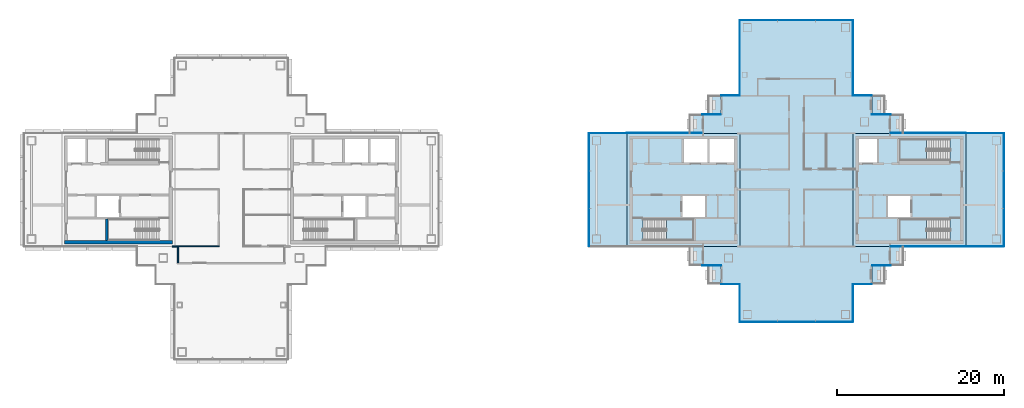
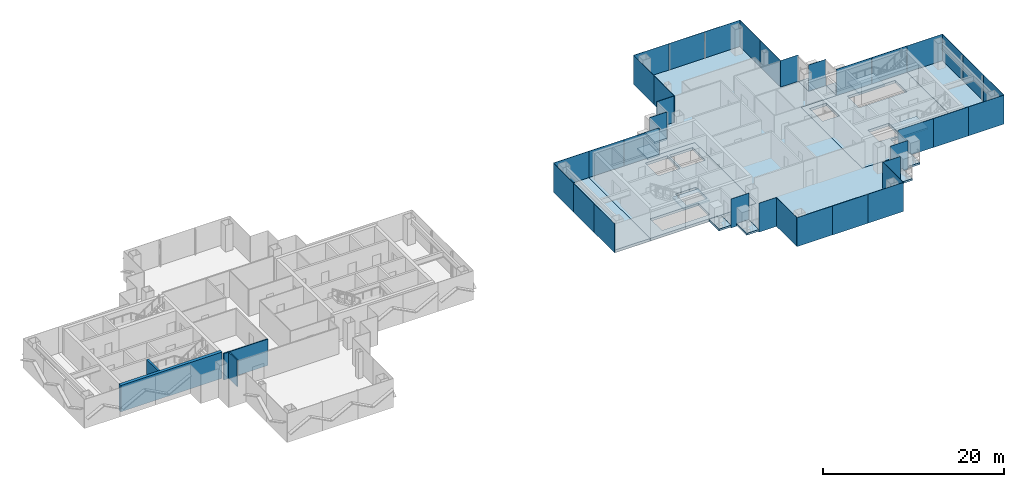
# One storey, part 8 of 17: 35 plates, 16 slabs, 5 walls, 21 elements without a shape of their own.
"""IFC4 building model written with IfcOpenShell, lengths in metres."""

from ifc_helpers import new_model, si_unit, direction, frame, frame_2d, origin, origin_2d, place, context, subcontext, project, spatial, polyline, rectangle, outline, extrude, material, layer, layer_set, type_object, element, aggregate, save


model = new_model("IFC4")

# Units and contexts
model_context = context("Model", 3, precision=1e-05, world=origin(), true_north=direction((0.0, 1.0)))
body_context = subcontext(model_context, "Body", "Model", "MODEL_VIEW")
ifc_project = project(units=[si_unit("LENGTHUNIT", "METRE"), si_unit("AREAUNIT", "SQUARE_METRE"), si_unit("VOLUMEUNIT", "CUBIC_METRE"), si_unit("PLANEANGLEUNIT", "RADIAN"), si_unit("MASSUNIT", "GRAM", prefix="KILO")], contexts=[model_context])

# Site, building, storey
site_placement = place(None, origin())
site = spatial("IfcSite", under=ifc_project, at=site_placement, CompositionType="ELEMENT")
building_placement = place(site_placement, origin())
building = spatial("IfcBuilding", under=site, at=building_placement, Name="Shamsa Quay Exchange Towers", CompositionType="ELEMENT")
storey_placement = place(building_placement, frame((0.0, 0.0, 198.300048828125)))
storey = spatial("IfcBuildingStorey", under=building, at=storey_placement, Name="L47", CompositionType="ELEMENT", Elevation=198.300048828125)

# Slabs
ifc_material_1 = material(Name="Precast concrete C40/50", Category="concrete")
ifc_layer_1 = layer(ifc_material_1, 0.25)
ifc_layer_set_1 = layer_set([ifc_layer_1], Name="BALCONY SLAB 250")
slab_type_1 = type_object("IfcSlabType", Name="BALCONY SLAB 250", PredefinedType="FLOOR", material=ifc_layer_set_1)
slab_1_placement = place(storey_placement, frame((0.0, 0.0, -0.25)))
element("IfcSlab", 1, at=slab_1_placement, inside=storey, type_object=slab_type_1, Name="Balcony T2-PKEN L47", PredefinedType="FLOOR", context=body_context, shape_type="SweptSolid", body=[
    extrude(outline(polyline([(24.75, 11.25), (24.75, 9.0380859375), (23.199951171875, 9.0380859375), (23.199951171875, 11.25), (24.75, 11.25)])), origin(), (0.0, 0.0, 1.0), 0.25),
])
slab_2_placement = place(storey_placement, frame((0.0, 0.0, -0.25)))
element("IfcSlab", 2, at=slab_2_placement, inside=storey, type_object=slab_type_1, Name="Balcony T2-PKEN L47", PredefinedType="FLOOR", context=body_context, shape_type="SweptSolid", body=[
    extrude(outline(polyline([(22.5, 9.0), (22.5, 6.7880859375), (20.949951171875, 6.7880859375), (20.949951171875, 9.0), (22.5, 9.0)])), origin(), (0.0, 0.0, 1.0), 0.25),
])
slab_3_placement = place(storey_placement, frame((0.0, 0.0, -0.25)))
element("IfcSlab", 3, at=slab_3_placement, inside=storey, type_object=slab_type_1, Name="Balcony T2-PKES L47", PredefinedType="FLOOR", context=body_context, shape_type="SweptSolid", body=[
    extrude(outline(polyline([(42.75, 9.0380859375), (42.75, 11.25), (44.300048828125, 11.25), (44.300048828125, 9.0380859375), (42.75, 9.0380859375)])), origin(), (0.0, 0.0, 1.0), 0.25),
])
slab_4_placement = place(storey_placement, frame((0.0, 0.0, -0.25)))
element("IfcSlab", 4, at=slab_4_placement, inside=storey, type_object=slab_type_1, Name="Balcony T2-PKES L47", PredefinedType="FLOOR", context=body_context, shape_type="SweptSolid", body=[
    extrude(outline(polyline([(45.0, 6.7880859375), (45.0, 9.0), (46.550048828125, 9.0), (46.550048828125, 6.7880859375), (45.0, 6.7880859375)])), origin(), (0.0, 0.0, 1.0), 0.25),
])
slab_5_placement = place(storey_placement, frame((0.0, 0.0, -0.25)))
element("IfcSlab", 5, at=slab_5_placement, inside=storey, type_object=slab_type_1, Name="Balcony T2-PKWN L47", PredefinedType="FLOOR", context=body_context, shape_type="SweptSolid", body=[
    extrude(outline(polyline([(22.5, -6.7880859375), (22.5, -9.0), (20.949951171875, -9.0), (20.949951171875, -6.7880859375), (22.5, -6.7880859375)])), origin(), (0.0, 0.0, 1.0), 0.25),
])
slab_6_placement = place(storey_placement, frame((0.0, 0.0, -0.25)))
element("IfcSlab", 6, at=slab_6_placement, inside=storey, type_object=slab_type_1, Name="Balcony T2-PKWN L47", PredefinedType="FLOOR", context=body_context, shape_type="SweptSolid", body=[
    extrude(outline(polyline([(24.75, -9.0380859375), (24.75, -11.25), (23.199951171875, -11.25), (23.199951171875, -9.0380859375), (24.75, -9.0380859375)])), origin(), (0.0, 0.0, 1.0), 0.25),
])
slab_7_placement = place(storey_placement, frame((0.0, 0.0, -0.25)))
element("IfcSlab", 7, at=slab_7_placement, inside=storey, type_object=slab_type_1, Name="Balcony T2-PKWS L47", PredefinedType="FLOOR", context=body_context, shape_type="SweptSolid", body=[
    extrude(outline(polyline([(42.75, -11.25), (42.75, -9.0380859375), (44.300048828125, -9.0380859375), (44.300048828125, -11.25), (42.75, -11.25)])), origin(), (0.0, 0.0, 1.0), 0.25),
])
slab_8_placement = place(storey_placement, frame((0.0, 0.0, -0.25)))
element("IfcSlab", 8, at=slab_8_placement, inside=storey, type_object=slab_type_1, Name="Balcony T2-PKWS L47", PredefinedType="FLOOR", context=body_context, shape_type="SweptSolid", body=[
    extrude(outline(polyline([(45.0, -9.0), (45.0, -6.7880859375), (46.550048828125, -6.7880859375), (46.550048828125, -9.0), (45.0, -9.0)])), origin(), (0.0, 0.0, 1.0), 0.25),
])
ifc_material_2 = material(Name="Concrete C50/60", Category="concrete")
ifc_layer_2 = layer(ifc_material_2, 0.35009765625)
ifc_layer_set_2 = layer_set([ifc_layer_2], Name="CORE FLOOR 350 C50/60")
slab_type_2 = type_object("IfcSlabType", Name="CORE FLOOR 350 C50/60", PredefinedType="FLOOR", material=ifc_layer_set_2)
slab_9_placement = place(storey_placement, frame((0.0, 0.0, -0.35009765625)))
element("IfcSlab", 9, at=slab_9_placement, inside=storey, type_object=slab_type_2, Name="Core floor T2A", PredefinedType="FLOOR", context=body_context, shape_type="SweptSolid", body=[
    extrude(outline(polyline([(13.5, -6.75), (27.0, -6.75), (27.0, 6.75), (13.5, 6.75), (13.5, -6.75)]), holes=[polyline([(15.400634765625, -6.050048828125), (15.400634765625, -3.5), (21.5, -3.5), (21.5, -6.050048828125), (15.400634765625, -6.050048828125)]), polyline([(20.300048828125, 3.25), (20.300048828125, 6.050048828125), (23.10009765625, 6.050048828125), (23.10009765625, 3.25), (20.300048828125, 3.25)]), polyline([(23.35009765625, 3.25), (23.35009765625, 6.050048828125), (26.300048828125, 6.050048828125), (26.300048828125, 3.25), (23.35009765625, 3.25)]), polyline([(20.14990234375, -3.25), (20.14990234375, -0.75), (22.800048828125, -0.75), (22.800048828125, -3.25), (20.14990234375, -3.25)])]), origin(), (0.0, 0.0, 1.0), 0.35009765625),
])
slab_10_placement = place(storey_placement, frame((0.0, 0.0, -0.35009765625)))
element("IfcSlab", 10, at=slab_10_placement, inside=storey, type_object=slab_type_2, Name="Core floor T2B", PredefinedType="FLOOR", context=body_context, shape_type="SweptSolid", body=[
    extrude(outline(polyline([(54.0, -6.75), (54.0, 6.75), (40.5, 6.75), (40.5, -6.75), (54.0, -6.75)]), holes=[polyline([(52.099365234375, -3.5), (52.099365234375, -6.050048828125), (46.0, -6.050048828125), (46.0, -3.5), (52.099365234375, -3.5)]), polyline([(52.099365234375, 6.050048828125), (52.099365234375, 3.5), (46.0, 3.5), (46.0, 6.050048828125), (52.099365234375, 6.050048828125)]), polyline([(43.35009765625, 3.25), (41.199951171875, 3.25), (41.199951171875, 6.050048828125), (43.35009765625, 6.050048828125), (43.35009765625, 3.25)]), polyline([(47.35009765625, -3.25), (44.699951171875, -3.25), (44.699951171875, -0.75), (47.35009765625, -0.75), (47.35009765625, -3.25)])]), origin(), (0.0, 0.0, 1.0), 0.35009765625),
])

# Stair, slab
ifc_material_3 = material(Name="Concrete C40/50", Category="concrete")
stair_type = type_object("IfcStairType", Name="EXIT STAIR 22 RISERS 177 MM", PredefinedType="HALF_TURN_STAIR", material=ifc_material_3)
stair_1_placement = place(storey_placement, origin())
stair_1 = element("IfcStair", 11, at=stair_1_placement, inside=storey, type_object=stair_type, Name="L47 Exit stair ST4", PredefinedType="HALF_TURN_STAIR")
ifc_layer_3 = layer(ifc_material_3, 0.199951171875)
ifc_layer_set_3 = layer_set([ifc_layer_3], Name="CORE STAIR LANDING")
slab_type_3 = type_object("IfcSlabType", Name="CORE STAIR LANDING", PredefinedType="LANDING", material=ifc_layer_set_3)
slab_11_placement = place(storey_placement, frame((0.0, 0.0, 1.75)))
slab_11 = element("IfcSlab", 12, at=slab_11_placement, type_object=slab_type_3, Name="ST4 landing 1", PredefinedType="LANDING", context=body_context, shape_type="SweptSolid", body=[
    extrude(outline(polyline([(18.199951171875, -6.050048828125), (21.5, -6.050048828125), (21.5, -3.5), (18.199951171875, -3.5), (18.199951171875, -6.050048828125)])), origin(), (0.0, 0.0, 1.0), 0.199951171875),
])
aggregate(stair_1, [slab_11])

stair_2_placement = place(storey_placement, origin())
stair_2 = element("IfcStair", 13, at=stair_2_placement, inside=storey, type_object=stair_type, Name="L47 Exit stair ST5", PredefinedType="HALF_TURN_STAIR")
slab_12_placement = place(storey_placement, frame((0.0, 0.0, 1.75)))
slab_12 = element("IfcSlab", 14, at=slab_12_placement, type_object=slab_type_3, Name="ST5 landing 1", PredefinedType="LANDING", context=body_context, shape_type="SweptSolid", body=[
    extrude(outline(polyline([(49.300048828125, -3.5), (46.0, -3.5), (46.0, -6.050048828125), (49.300048828125, -6.050048828125), (49.300048828125, -3.5)])), origin(), (0.0, 0.0, 1.0), 0.199951171875),
])
aggregate(stair_2, [slab_12])

stair_3_placement = place(storey_placement, origin())
stair_3 = element("IfcStair", 15, at=stair_3_placement, inside=storey, type_object=stair_type, Name="L47 Exit stair ST6", PredefinedType="HALF_TURN_STAIR")
slab_13_placement = place(storey_placement, frame((0.0, 0.0, 1.75)))
slab_13 = element("IfcSlab", 16, at=slab_13_placement, type_object=slab_type_3, Name="ST6 landing 1", PredefinedType="LANDING", context=body_context, shape_type="SweptSolid", body=[
    extrude(outline(polyline([(49.300048828125, 6.050048828125), (46.0, 6.050048828125), (46.0, 3.5), (49.300048828125, 3.5), (49.300048828125, 6.050048828125)])), origin(), (0.0, 0.0, 1.0), 0.199951171875),
])
aggregate(stair_3, [slab_13])

# Curtain wall, plate
ifc_material_4 = material(Name="Aluminium EN AW-6063 T6, black anodised", Category="aluminium")
ifc_layer_4 = layer(ifc_material_4, 0.280029296875)
ifc_layer_set_4 = layer_set([ifc_layer_4], Name="CW-1 UNITISED VISION GLASS")
curtain_wall_type_1 = type_object("IfcCurtainWallType", Name="CW-1 UNITISED VISION GLASS", PredefinedType="NOTDEFINED", material=ifc_layer_set_4)
curtain_wall_1_placement = place(storey_placement, origin())
curtain_wall_1 = element("IfcCurtainWall", 17, at=curtain_wall_1_placement, inside=storey, type_object=curtain_wall_type_1, Name="CW1 T2-FLK-V-W L47", PredefinedType="NOTDEFINED")
ifc_material_5 = material(Name="Glass, laminated, dark tinted", Category="glass")
ifc_layer_5 = layer(ifc_material_5, 0.0400390625)
ifc_layer_set_5 = layer_set([ifc_layer_5], Name="CW-1 VISION GLASS 40")
plate_type_1 = type_object("IfcPlateType", Name="CW-1 VISION GLASS 40", PredefinedType="CURTAIN_PANEL", material=ifc_layer_set_5)
plate_1_placement = place(storey_placement, frame((56.25, -6.77001953125, -0.35009765625)))
plate_1 = element("IfcPlate", 18, at=plate_1_placement, type_object=plate_type_1, Name="CW1 glass panel", PredefinedType="CURTAIN_PANEL", context=body_context, shape_type="SweptSolid", body=[
    extrude(rectangle(XDim=4.5, YDim=0.0400390625, at=origin_2d()), origin(), (0.0, 0.0, 1.0), 3.89990234375),
])
aggregate(curtain_wall_1, [plate_1])

# Curtain wall, plates
curtain_wall_2_placement = place(storey_placement, origin())
curtain_wall_2 = element("IfcCurtainWall", 19, at=curtain_wall_2_placement, inside=storey, type_object=curtain_wall_type_1, Name="CW1 T2-END-V- L47", PredefinedType="NOTDEFINED")
plate_2_placement = place(storey_placement, frame((58.52001953125, -4.50244140625, -0.35009765625), z_axis=(0.0, 0.0, 1.0), x_axis=(0.0, 1.0, 0.0)))
plate_2 = element("IfcPlate", 20, at=plate_2_placement, type_object=plate_type_1, Name="CW1 glass panel", PredefinedType="CURTAIN_PANEL", context=body_context, shape_type="SweptSolid", body=[
    extrude(rectangle(XDim=4.4951171875, YDim=0.0400390625, at=origin_2d()), origin(), (0.0, 0.0, 1.0), 3.89990234375),
])
plate_3_placement = place(storey_placement, frame((58.52001953125, 0.0, -0.35009765625), z_axis=(0.0, 0.0, 1.0), x_axis=(0.0, 1.0, 0.0)))
plate_3 = element("IfcPlate", 21, at=plate_3_placement, type_object=plate_type_1, Name="CW1 glass panel", PredefinedType="CURTAIN_PANEL", context=body_context, shape_type="SweptSolid", body=[
    extrude(rectangle(XDim=4.489990234375, YDim=0.0400390625, at=origin_2d()), origin(), (0.0, 0.0, 1.0), 3.89990234375),
])
plate_4_placement = place(storey_placement, frame((58.52001953125, 4.50244140625, -0.35009765625), z_axis=(0.0, 0.0, 1.0), x_axis=(0.0, 1.0, 0.0)))
plate_4 = element("IfcPlate", 22, at=plate_4_placement, type_object=plate_type_1, Name="CW1 glass panel", PredefinedType="CURTAIN_PANEL", context=body_context, shape_type="SweptSolid", body=[
    extrude(rectangle(XDim=4.4951171875, YDim=0.0400390625, at=origin_2d()), origin(), (0.0, 0.0, 1.0), 3.89990234375),
])
aggregate(curtain_wall_2, [plate_2, plate_3, plate_4])

# Curtain wall, plate
curtain_wall_3_placement = place(storey_placement, origin())
curtain_wall_3 = element("IfcCurtainWall", 23, at=curtain_wall_3_placement, inside=storey, type_object=curtain_wall_type_1, Name="CW1 T2-FLK-V-E L47", PredefinedType="NOTDEFINED")
plate_5_placement = place(storey_placement, frame((56.25, 6.77001953125, -0.35009765625), z_axis=(0.0, 0.0, 1.0), x_axis=(-1.0, 0.0, 0.0)))
plate_5 = element("IfcPlate", 24, at=plate_5_placement, type_object=plate_type_1, Name="CW1 glass panel", PredefinedType="CURTAIN_PANEL", context=body_context, shape_type="SweptSolid", body=[
    extrude(rectangle(XDim=4.5, YDim=0.0400390625, at=origin_2d()), origin(), (0.0, 0.0, 1.0), 3.89990234375),
])
aggregate(curtain_wall_3, [plate_5])

# Curtain wall, plates
curtain_wall_4_placement = place(storey_placement, origin())
curtain_wall_4 = element("IfcCurtainWall", 25, at=curtain_wall_4_placement, inside=storey, type_object=curtain_wall_type_1, Name="CW1 T2-FLK-U+S L47", PredefinedType="NOTDEFINED")
plate_6_placement = place(storey_placement, frame((40.52001953125, 13.52587890625, -0.35009765625), z_axis=(0.0, 0.0, 1.0), x_axis=(0.0, 1.0, 0.0)))
plate_6 = element("IfcPlate", 26, at=plate_6_placement, type_object=plate_type_1, Name="CW1 glass panel", PredefinedType="CURTAIN_PANEL", context=body_context, shape_type="SweptSolid", body=[
    extrude(rectangle(XDim=4.47607421875, YDim=0.0400390625, at=origin_2d()), origin(), (0.0, 0.0, 1.0), 3.89990234375),
])
plate_7_placement = place(storey_placement, frame((40.52001953125, 18.011962890625, -0.35009765625), z_axis=(0.0, 0.0, 1.0), x_axis=(0.0, 1.0, 0.0)))
plate_7 = element("IfcPlate", 27, at=plate_7_placement, type_object=plate_type_1, Name="CW1 glass panel", PredefinedType="CURTAIN_PANEL", context=body_context, shape_type="SweptSolid", body=[
    extrude(rectangle(XDim=4.47607421875, YDim=0.0400390625, at=origin_2d()), origin(), (0.0, 0.0, 1.0), 3.89990234375),
])
aggregate(curtain_wall_4, [plate_6, plate_7])

curtain_wall_5_placement = place(storey_placement, origin())
curtain_wall_5 = element("IfcCurtainWall", 28, at=curtain_wall_5_placement, inside=storey, type_object=curtain_wall_type_1, Name="CW1 T2-END-U+ L47", PredefinedType="NOTDEFINED")
plate_8_placement = place(storey_placement, frame((38.25244140625, 20.27001953125, -0.35009765625), z_axis=(0.0, 0.0, 1.0), x_axis=(-1.0, 0.0, 0.0)))
plate_8 = element("IfcPlate", 29, at=plate_8_placement, type_object=plate_type_1, Name="CW1 glass panel", PredefinedType="CURTAIN_PANEL", context=body_context, shape_type="SweptSolid", body=[
    extrude(rectangle(XDim=4.4951171875, YDim=0.0400390625, at=origin_2d()), origin(), (0.0, 0.0, 1.0), 3.89990234375),
])
plate_9_placement = place(storey_placement, frame((33.75, 20.27001953125, -0.35009765625), z_axis=(0.0, 0.0, 1.0), x_axis=(-1.0, 0.0, 0.0)))
plate_9 = element("IfcPlate", 30, at=plate_9_placement, type_object=plate_type_1, Name="CW1 glass panel", PredefinedType="CURTAIN_PANEL", context=body_context, shape_type="SweptSolid", body=[
    extrude(rectangle(XDim=4.489990234375, YDim=0.0400390625, at=origin_2d()), origin(), (0.0, 0.0, 1.0), 3.89990234375),
])
plate_10_placement = place(storey_placement, frame((29.24755859375, 20.27001953125, -0.35009765625), z_axis=(0.0, 0.0, 1.0), x_axis=(-1.0, 0.0, 0.0)))
plate_10 = element("IfcPlate", 31, at=plate_10_placement, type_object=plate_type_1, Name="CW1 glass panel", PredefinedType="CURTAIN_PANEL", context=body_context, shape_type="SweptSolid", body=[
    extrude(rectangle(XDim=4.4951171875, YDim=0.0400390625, at=origin_2d()), origin(), (0.0, 0.0, 1.0), 3.89990234375),
])
aggregate(curtain_wall_5, [plate_8, plate_9, plate_10])

curtain_wall_6_placement = place(storey_placement, origin())
curtain_wall_6 = element("IfcCurtainWall", 32, at=curtain_wall_6_placement, inside=storey, type_object=curtain_wall_type_1, Name="CW1 T2-FLK-U+N L47", PredefinedType="NOTDEFINED")
plate_11_placement = place(storey_placement, frame((26.97998046875, 18.00244140625, -0.35009765625), z_axis=(0.0, 0.0, 1.0), x_axis=(0.0, -1.0, 0.0)))
plate_11 = element("IfcPlate", 33, at=plate_11_placement, type_object=plate_type_1, Name="CW1 glass panel", PredefinedType="CURTAIN_PANEL", context=body_context, shape_type="SweptSolid", body=[
    extrude(rectangle(XDim=4.4951171875, YDim=0.0400390625, at=origin_2d()), origin(), (0.0, 0.0, 1.0), 3.89990234375),
])
plate_12_placement = place(storey_placement, frame((26.97998046875, 13.49755859375, -0.35009765625), z_axis=(0.0, 0.0, 1.0), x_axis=(0.0, -1.0, 0.0)))
plate_12 = element("IfcPlate", 34, at=plate_12_placement, type_object=plate_type_1, Name="CW1 glass panel", PredefinedType="CURTAIN_PANEL", context=body_context, shape_type="SweptSolid", body=[
    extrude(rectangle(XDim=4.4951171875, YDim=0.0400390625, at=origin_2d()), origin(), (0.0, 0.0, 1.0), 3.89990234375),
])
aggregate(curtain_wall_6, [plate_11, plate_12])

# Curtain wall, plate
curtain_wall_7_placement = place(storey_placement, origin())
curtain_wall_7 = element("IfcCurtainWall", 35, at=curtain_wall_7_placement, inside=storey, type_object=curtain_wall_type_1, Name="CW1 T2-FLK-V+E L47", PredefinedType="NOTDEFINED")
plate_13_placement = place(storey_placement, frame((11.25, 6.77001953125, -0.35009765625), z_axis=(0.0, 0.0, 1.0), x_axis=(-1.0, 0.0, 0.0)))
plate_13 = element("IfcPlate", 36, at=plate_13_placement, type_object=plate_type_1, Name="CW1 glass panel", PredefinedType="CURTAIN_PANEL", context=body_context, shape_type="SweptSolid", body=[
    extrude(rectangle(XDim=4.5, YDim=0.0400390625, at=origin_2d()), origin(), (0.0, 0.0, 1.0), 3.89990234375),
])
aggregate(curtain_wall_7, [plate_13])

# Curtain wall, plates
curtain_wall_8_placement = place(storey_placement, origin())
curtain_wall_8 = element("IfcCurtainWall", 37, at=curtain_wall_8_placement, inside=storey, type_object=curtain_wall_type_1, Name="CW1 T2-END-V+ L47", PredefinedType="NOTDEFINED")
plate_14_placement = place(storey_placement, frame((8.97998046875, 4.50244140625, -0.35009765625), z_axis=(0.0, 0.0, 1.0), x_axis=(0.0, -1.0, 0.0)))
plate_14 = element("IfcPlate", 38, at=plate_14_placement, type_object=plate_type_1, Name="CW1 glass panel", PredefinedType="CURTAIN_PANEL", context=body_context, shape_type="SweptSolid", body=[
    extrude(rectangle(XDim=4.4951171875, YDim=0.0400390625, at=origin_2d()), origin(), (0.0, 0.0, 1.0), 3.89990234375),
])
plate_15_placement = place(storey_placement, frame((8.97998046875, 0.0, -0.35009765625), z_axis=(0.0, 0.0, 1.0), x_axis=(0.0, -1.0, 0.0)))
plate_15 = element("IfcPlate", 39, at=plate_15_placement, type_object=plate_type_1, Name="CW1 glass panel", PredefinedType="CURTAIN_PANEL", context=body_context, shape_type="SweptSolid", body=[
    extrude(rectangle(XDim=4.489990234375, YDim=0.0400390625, at=origin_2d()), origin(), (0.0, 0.0, 1.0), 3.89990234375),
])
plate_16_placement = place(storey_placement, frame((8.97998046875, -4.50244140625, -0.35009765625), z_axis=(0.0, 0.0, 1.0), x_axis=(0.0, -1.0, 0.0)))
plate_16 = element("IfcPlate", 40, at=plate_16_placement, type_object=plate_type_1, Name="CW1 glass panel", PredefinedType="CURTAIN_PANEL", context=body_context, shape_type="SweptSolid", body=[
    extrude(rectangle(XDim=4.4951171875, YDim=0.0400390625, at=origin_2d()), origin(), (0.0, 0.0, 1.0), 3.89990234375),
])
aggregate(curtain_wall_8, [plate_14, plate_15, plate_16])

# Curtain wall, plate
curtain_wall_9_placement = place(storey_placement, origin())
curtain_wall_9 = element("IfcCurtainWall", 41, at=curtain_wall_9_placement, inside=storey, type_object=curtain_wall_type_1, Name="CW1 T2-FLK-U-N L47", PredefinedType="NOTDEFINED")
plate_17_placement = place(storey_placement, frame((26.97998046875, -13.51904296875, -0.35009765625), z_axis=(0.0, 0.0, 1.0), x_axis=(0.0, -1.0, 0.0)))
plate_17 = element("IfcPlate", 42, at=plate_17_placement, type_object=plate_type_1, Name="CW1 glass panel", PredefinedType="CURTAIN_PANEL", context=body_context, shape_type="SweptSolid", body=[
    extrude(rectangle(XDim=4.4619140625, YDim=0.0400390625, at=origin_2d()), origin(), (0.0, 0.0, 1.0), 3.89990234375),
])
aggregate(curtain_wall_9, [plate_17])

# Curtain wall, plates
curtain_wall_10_placement = place(storey_placement, origin())
curtain_wall_10 = element("IfcCurtainWall", 43, at=curtain_wall_10_placement, inside=storey, type_object=curtain_wall_type_1, Name="CW1 T2-END-U- L47", PredefinedType="NOTDEFINED")
plate_18_placement = place(storey_placement, frame((29.24755859375, -15.77001953125, -0.35009765625)))
plate_18 = element("IfcPlate", 44, at=plate_18_placement, type_object=plate_type_1, Name="CW1 glass panel", PredefinedType="CURTAIN_PANEL", context=body_context, shape_type="SweptSolid", body=[
    extrude(rectangle(XDim=4.4951171875, YDim=0.0400390625, at=origin_2d()), origin(), (0.0, 0.0, 1.0), 3.89990234375),
])
plate_19_placement = place(storey_placement, frame((33.75, -15.77001953125, -0.35009765625)))
plate_19 = element("IfcPlate", 45, at=plate_19_placement, type_object=plate_type_1, Name="CW1 glass panel", PredefinedType="CURTAIN_PANEL", context=body_context, shape_type="SweptSolid", body=[
    extrude(rectangle(XDim=4.489990234375, YDim=0.0400390625, at=origin_2d()), origin(), (0.0, 0.0, 1.0), 3.89990234375),
])
plate_20_placement = place(storey_placement, frame((38.25244140625, -15.77001953125, -0.35009765625)))
plate_20 = element("IfcPlate", 46, at=plate_20_placement, type_object=plate_type_1, Name="CW1 glass panel", PredefinedType="CURTAIN_PANEL", context=body_context, shape_type="SweptSolid", body=[
    extrude(rectangle(XDim=4.4951171875, YDim=0.0400390625, at=origin_2d()), origin(), (0.0, 0.0, 1.0), 3.89990234375),
])
aggregate(curtain_wall_10, [plate_18, plate_19, plate_20])

# Curtain wall, plate
curtain_wall_11_placement = place(storey_placement, origin())
curtain_wall_11 = element("IfcCurtainWall", 47, at=curtain_wall_11_placement, inside=storey, type_object=curtain_wall_type_1, Name="CW1 T2-FLK-U-S L47", PredefinedType="NOTDEFINED")
plate_21_placement = place(storey_placement, frame((40.52001953125, -13.5, -0.35009765625), z_axis=(0.0, 0.0, 1.0), x_axis=(0.0, 1.0, 0.0)))
plate_21 = element("IfcPlate", 48, at=plate_21_placement, type_object=plate_type_1, Name="CW1 glass panel", PredefinedType="CURTAIN_PANEL", context=body_context, shape_type="SweptSolid", body=[
    extrude(rectangle(XDim=4.5, YDim=0.0400390625, at=origin_2d()), origin(), (0.0, 0.0, 1.0), 3.89990234375),
])
aggregate(curtain_wall_11, [plate_21])

# Curtain wall, plates
ifc_layer_6 = layer(ifc_material_4, 0.303955078125)
ifc_layer_set_6 = layer_set([ifc_layer_6], Name="CW-2 UNITISED OPAQUE SPANDREL GLASS")
curtain_wall_type_2 = type_object("IfcCurtainWallType", Name="CW-2 UNITISED OPAQUE SPANDREL GLASS", PredefinedType="NOTDEFINED", material=ifc_layer_set_6)
curtain_wall_12_placement = place(storey_placement, origin())
curtain_wall_12 = element("IfcCurtainWall", 49, at=curtain_wall_12_placement, inside=storey, type_object=curtain_wall_type_2, Name="CW2 T2-FLK-V-W L47", PredefinedType="NOTDEFINED")
ifc_material_6 = material(Name="Glass, laminated, black enamelled opaque", Category="glass")
ifc_layer_7 = layer(ifc_material_6, 0.0439453125)
ifc_layer_set_7 = layer_set([ifc_layer_7], Name="CW-2 SPANDREL GLASS 44")
plate_type_2 = type_object("IfcPlateType", Name="CW-2 SPANDREL GLASS 44", PredefinedType="CURTAIN_PANEL", material=ifc_layer_set_7)
plate_22_placement = place(storey_placement, frame((47.27587890625, -6.77197265625, -0.35009765625)))
plate_22 = element("IfcPlate", 50, at=plate_22_placement, type_object=plate_type_2, Name="CW2 glass panel", PredefinedType="CURTAIN_PANEL", context=body_context, shape_type="SweptSolid", body=[
    extrude(rectangle(XDim=4.47607421875, YDim=0.0439453125, at=origin_2d()), origin(), (0.0, 0.0, 1.0), 3.89990234375),
])
plate_23_placement = place(storey_placement, frame((51.761962890625, -6.77197265625, -0.35009765625)))
plate_23 = element("IfcPlate", 51, at=plate_23_placement, type_object=plate_type_2, Name="CW2 glass panel", PredefinedType="CURTAIN_PANEL", context=body_context, shape_type="SweptSolid", body=[
    extrude(rectangle(XDim=4.47607421875, YDim=0.0439453125, at=origin_2d()), origin(), (0.0, 0.0, 1.0), 3.89990234375),
])
aggregate(curtain_wall_12, [plate_22, plate_23])

curtain_wall_13_placement = place(storey_placement, origin())
curtain_wall_13 = element("IfcCurtainWall", 52, at=curtain_wall_13_placement, inside=storey, type_object=curtain_wall_type_2, Name="CW2 T2-FLK-V-E L47", PredefinedType="NOTDEFINED")
plate_24_placement = place(storey_placement, frame((51.75244140625, 6.77197265625, -0.35009765625), z_axis=(0.0, 0.0, 1.0), x_axis=(-1.0, 0.0, 0.0)))
plate_24 = element("IfcPlate", 53, at=plate_24_placement, type_object=plate_type_2, Name="CW2 glass panel", PredefinedType="CURTAIN_PANEL", context=body_context, shape_type="SweptSolid", body=[
    extrude(rectangle(XDim=4.4951171875, YDim=0.0439453125, at=origin_2d()), origin(), (0.0, 0.0, 1.0), 3.89990234375),
])
plate_25_placement = place(storey_placement, frame((47.24755859375, 6.77197265625, -0.35009765625), z_axis=(0.0, 0.0, 1.0), x_axis=(-1.0, 0.0, 0.0)))
plate_25 = element("IfcPlate", 54, at=plate_25_placement, type_object=plate_type_2, Name="CW2 glass panel", PredefinedType="CURTAIN_PANEL", context=body_context, shape_type="SweptSolid", body=[
    extrude(rectangle(XDim=4.4951171875, YDim=0.0439453125, at=origin_2d()), origin(), (0.0, 0.0, 1.0), 3.89990234375),
])
aggregate(curtain_wall_13, [plate_24, plate_25])

curtain_wall_14_placement = place(storey_placement, origin())
curtain_wall_14 = element("IfcCurtainWall", 55, at=curtain_wall_14_placement, inside=storey, type_object=curtain_wall_type_2, Name="CW2 T2-FLK-V+E L47", PredefinedType="NOTDEFINED")
plate_26_placement = place(storey_placement, frame((20.22412109375, 6.77197265625, -0.35009765625), z_axis=(0.0, 0.0, 1.0), x_axis=(-1.0, 0.0, 0.0)))
plate_26 = element("IfcPlate", 56, at=plate_26_placement, type_object=plate_type_2, Name="CW2 glass panel", PredefinedType="CURTAIN_PANEL", context=body_context, shape_type="SweptSolid", body=[
    extrude(rectangle(XDim=4.47607421875, YDim=0.0439453125, at=origin_2d()), origin(), (0.0, 0.0, 1.0), 3.89990234375),
])
plate_27_placement = place(storey_placement, frame((15.738037109375, 6.77197265625, -0.35009765625), z_axis=(0.0, 0.0, 1.0), x_axis=(-1.0, 0.0, 0.0)))
plate_27 = element("IfcPlate", 57, at=plate_27_placement, type_object=plate_type_2, Name="CW2 glass panel", PredefinedType="CURTAIN_PANEL", context=body_context, shape_type="SweptSolid", body=[
    extrude(rectangle(XDim=4.47607421875, YDim=0.0439453125, at=origin_2d()), origin(), (0.0, 0.0, 1.0), 3.89990234375),
])
aggregate(curtain_wall_14, [plate_26, plate_27])

ifc_layer_8 = layer(ifc_material_4, 0.256103515625)
ifc_layer_set_8 = layer_set([ifc_layer_8], Name="CW-4 POCKET SERRATED GLAZING")
curtain_wall_type_3 = type_object("IfcCurtainWallType", Name="CW-4 POCKET SERRATED GLAZING", PredefinedType="NOTDEFINED", material=ifc_layer_set_8)
curtain_wall_15_placement = place(storey_placement, origin())
curtain_wall_15 = element("IfcCurtainWall", 58, at=curtain_wall_15_placement, inside=storey, type_object=curtain_wall_type_3, Name="CW4 PKWS L47", PredefinedType="NOTDEFINED")
ifc_layer_9 = layer(ifc_material_5, 0.035888671875)
ifc_layer_set_9 = layer_set([ifc_layer_9], Name="CW-4 POCKET GLASS 36")
plate_type_3 = type_object("IfcPlateType", Name="CW-4 POCKET GLASS 36", PredefinedType="CURTAIN_PANEL", material=ifc_layer_set_9)
plate_28_placement = place(storey_placement, frame((43.89404296875, -9.01806640625, -0.35009765625)))
plate_28 = element("IfcPlate", 59, at=plate_28_placement, type_object=plate_type_3, Name="CW4 glass panel", PredefinedType="CURTAIN_PANEL", context=body_context, shape_type="SweptSolid", body=[
    extrude(rectangle(XDim=2.2119140625, YDim=0.035888671875, at=origin_2d()), origin(), (0.0, 0.0, 1.0), 3.89990234375),
])
plate_29_placement = place(storey_placement, frame((41.64599609375, -11.26806640625, -0.35009765625)))
plate_29 = element("IfcPlate", 60, at=plate_29_placement, type_object=plate_type_3, Name="CW4 glass panel", PredefinedType="CURTAIN_PANEL", context=body_context, shape_type="SweptSolid", body=[
    extrude(rectangle(XDim=2.2080078125, YDim=0.035888671875, at=origin_2d()), origin(), (0.0, 0.0, 1.0), 3.89990234375),
])
aggregate(curtain_wall_15, [plate_28, plate_29])

curtain_wall_16_placement = place(storey_placement, origin())
curtain_wall_16 = element("IfcCurtainWall", 61, at=curtain_wall_16_placement, inside=storey, type_object=curtain_wall_type_3, Name="CW4 PKES L47", PredefinedType="NOTDEFINED")
plate_30_placement = place(storey_placement, frame((43.875, 9.01806640625, -0.35009765625), z_axis=(0.0, 0.0, 1.0), x_axis=(-1.0, 0.0, 0.0)))
plate_30 = element("IfcPlate", 62, at=plate_30_placement, type_object=plate_type_3, Name="CW4 glass panel", PredefinedType="CURTAIN_PANEL", context=body_context, shape_type="SweptSolid", body=[
    extrude(rectangle(XDim=2.25, YDim=0.035888671875, at=origin_2d()), origin(), (0.0, 0.0, 1.0), 3.89990234375),
])
plate_31_placement = place(storey_placement, frame((41.625, 11.26806640625, -0.35009765625), z_axis=(0.0, 0.0, 1.0), x_axis=(-1.0, 0.0, 0.0)))
plate_31 = element("IfcPlate", 63, at=plate_31_placement, type_object=plate_type_3, Name="CW4 glass panel", PredefinedType="CURTAIN_PANEL", context=body_context, shape_type="SweptSolid", body=[
    extrude(rectangle(XDim=2.25, YDim=0.035888671875, at=origin_2d()), origin(), (0.0, 0.0, 1.0), 3.89990234375),
])
aggregate(curtain_wall_16, [plate_30, plate_31])

curtain_wall_17_placement = place(storey_placement, origin())
curtain_wall_17 = element("IfcCurtainWall", 64, at=curtain_wall_17_placement, inside=storey, type_object=curtain_wall_type_3, Name="CW4 PKEN L47", PredefinedType="NOTDEFINED")
plate_32_placement = place(storey_placement, frame((25.85400390625, 11.26806640625, -0.35009765625), z_axis=(0.0, 0.0, 1.0), x_axis=(-1.0, 0.0, 0.0)))
plate_32 = element("IfcPlate", 65, at=plate_32_placement, type_object=plate_type_3, Name="CW4 glass panel", PredefinedType="CURTAIN_PANEL", context=body_context, shape_type="SweptSolid", body=[
    extrude(rectangle(XDim=2.2080078125, YDim=0.035888671875, at=origin_2d()), origin(), (0.0, 0.0, 1.0), 3.89990234375),
])
plate_33_placement = place(storey_placement, frame((23.60595703125, 9.01806640625, -0.35009765625), z_axis=(0.0, 0.0, 1.0), x_axis=(-1.0, 0.0, 0.0)))
plate_33 = element("IfcPlate", 66, at=plate_33_placement, type_object=plate_type_3, Name="CW4 glass panel", PredefinedType="CURTAIN_PANEL", context=body_context, shape_type="SweptSolid", body=[
    extrude(rectangle(XDim=2.2119140625, YDim=0.035888671875, at=origin_2d()), origin(), (0.0, 0.0, 1.0), 3.89990234375),
])
aggregate(curtain_wall_17, [plate_32, plate_33])

curtain_wall_18_placement = place(storey_placement, origin())
curtain_wall_18 = element("IfcCurtainWall", 67, at=curtain_wall_18_placement, inside=storey, type_object=curtain_wall_type_3, Name="CW4 PKWN L47", PredefinedType="NOTDEFINED")
plate_34_placement = place(storey_placement, frame((23.625, -9.01806640625, -0.35009765625)))
plate_34 = element("IfcPlate", 68, at=plate_34_placement, type_object=plate_type_3, Name="CW4 glass panel", PredefinedType="CURTAIN_PANEL", context=body_context, shape_type="SweptSolid", body=[
    extrude(rectangle(XDim=2.25, YDim=0.035888671875, at=origin_2d()), origin(), (0.0, 0.0, 1.0), 3.89990234375),
])
plate_35_placement = place(storey_placement, frame((25.875, -11.26806640625, -0.35009765625)))
plate_35 = element("IfcPlate", 69, at=plate_35_placement, type_object=plate_type_3, Name="CW4 glass panel", PredefinedType="CURTAIN_PANEL", context=body_context, shape_type="SweptSolid", body=[
    extrude(rectangle(XDim=2.25, YDim=0.035888671875, at=origin_2d()), origin(), (0.0, 0.0, 1.0), 3.89990234375),
])
aggregate(curtain_wall_18, [plate_34, plate_35])

# Slabs
ifc_layer_10 = layer(ifc_material_3, 0.35009765625)
ifc_layer_set_10 = layer_set([ifc_layer_10], Name="Flat slab 350")
slab_type_4 = type_object("IfcSlabType", Name="Flat slab 350", PredefinedType="FLOOR", material=ifc_layer_set_10)
slab_14_placement = place(storey_placement, frame((0.0, 0.0, -0.35009765625)))
element("IfcSlab", 70, at=slab_14_placement, inside=storey, type_object=slab_type_4, Name="Flat slab T2 L47 4", PredefinedType="FLOOR", context=body_context, shape_type="SweptSolid", body=[
    extrude(outline(polyline([(9.0, -6.75), (13.5, -6.75), (13.5, 6.75), (9.0, 6.75), (9.0, -6.75)])), origin(), (0.0, 0.0, 1.0), 0.35009765625),
])
slab_15_placement = place(storey_placement, frame((0.0, 0.0, -0.35009765625)))
element("IfcSlab", 71, at=slab_15_placement, inside=storey, type_object=slab_type_4, Name="Flat slab T2 L47 5", PredefinedType="FLOOR", context=body_context, shape_type="SweptSolid", body=[
    extrude(outline(polyline([(45.0, -9.0), (45.0, -6.75), (40.5, -6.75), (40.5, 6.75), (45.0, 6.75), (45.0, 9.0), (42.75, 9.0), (42.75, 11.25), (40.5, 11.25), (40.5, 20.25), (27.0, 20.25), (27.0, 11.25), (24.75, 11.25), (24.75, 9.0), (22.5, 9.0), (22.5, 6.75), (27.0, 6.75), (27.0, -6.75), (22.5, -6.75), (22.5, -9.0), (24.75, -9.0), (24.75, -11.25), (27.0, -11.25), (27.0, -15.75), (40.5, -15.75), (40.5, -11.25), (42.75, -11.25), (42.75, -9.0), (45.0, -9.0)])), origin(), (0.0, 0.0, 1.0), 0.35009765625),
])
slab_16_placement = place(storey_placement, frame((0.0, 0.0, -0.35009765625)))
element("IfcSlab", 72, at=slab_16_placement, inside=storey, type_object=slab_type_4, Name="Flat slab T2 L47 6", PredefinedType="FLOOR", context=body_context, shape_type="SweptSolid", body=[
    extrude(outline(polyline([(58.5, 6.75), (54.0, 6.75), (54.0, -6.75), (58.5, -6.75), (58.5, 6.75)])), origin(), (0.0, 0.0, 1.0), 0.35009765625),
])

# Walls
ifc_material_7 = material(Name="Concrete C60/75", Category="concrete")
ifc_layer_11 = layer(ifc_material_7, 0.39990234375)
ifc_layer_set_11 = layer_set([ifc_layer_11], Name="CORE WALL 400 C60/75")
wall_type_1 = type_object("IfcWallType", Name="CORE WALL 400 C60/75", PredefinedType="SHEAR", material=ifc_layer_set_11)
wall_1_placement = place(storey_placement, frame((-40.800048828125, -6.25, 0.0), z_axis=(0.0, 0.0, 1.0), x_axis=(-1.0, 0.0, 0.0)))
element("IfcWall", 73, at=wall_1_placement, inside=storey, type_object=wall_type_1, Name="Core wall T1B-R21-PS", PredefinedType="SHEAR", context=body_context, shape_type="SweptSolid", body=[
    extrude(rectangle(XDim=12.89990234375, YDim=0.39990234375, at=frame_2d((6.449951171875, 0.0))), origin(), (0.0, 0.0, 1.0), 3.550048828125),
])
ifc_material_8 = material(Name="Laminated fire-resisting glass in a metal frame", Category="glass")
ifc_layer_12 = layer(ifc_material_8, 0.125)
ifc_layer_set_12 = layer_set([ifc_layer_12], Name="Glazed partition 125 mm EI 60")
wall_type_2 = type_object("IfcWallType", Name="Glazed partition 125 mm EI 60", PredefinedType="PARTITIONING", material=ifc_layer_set_12)
wall_2_placement = place(storey_placement, frame((-40.199951171875, -6.75, 0.0)))
element("IfcWall", 74, at=wall_2_placement, inside=storey, type_object=wall_type_2, Name="Partition T1-R21-W09", PredefinedType="PARTITIONING", context=body_context, shape_type="SweptSolid", body=[
    extrude(rectangle(XDim=5.012451171875, YDim=0.125, at=frame_2d((2.50634765625, 0.0))), origin(), (0.0, 0.0, 1.0), 3.550048828125),
])
ifc_material_9 = material(Name="Gypsum board partition on metal studs")
ifc_layer_13 = layer(ifc_material_9, 0.14990234375)
ifc_layer_set_13 = layer_set([ifc_layer_13], Name="Partition 150 mm EI 60")
wall_type_3 = type_object("IfcWallType", Name="Partition 150 mm EI 60", PredefinedType="PARTITIONING", material=ifc_layer_set_13)
wall_3_placement = place(storey_placement, frame((-40.125, -6.824951171875, 0.0), z_axis=(0.0, 0.0, 1.0), x_axis=(0.0, -1.0, 0.0)))
element("IfcWall", 75, at=wall_3_placement, inside=storey, type_object=wall_type_3, Name="Partition T1-R21-W14", PredefinedType="PARTITIONING", context=body_context, shape_type="SweptSolid", body=[
    extrude(rectangle(XDim=1.85009765625, YDim=0.14990234375, at=frame_2d((0.925048828125, 0.0))), origin(), (0.0, 0.0, 1.0), 3.550048828125),
])
wall_4_placement = place(storey_placement, frame((-40.800048828125, -6.75, 0.0)))
element("IfcWall", 76, at=wall_4_placement, inside=storey, type_object=wall_type_3, Name="Partition T1-R21-W18", PredefinedType="PARTITIONING", context=body_context, shape_type="SweptSolid", body=[
    extrude(rectangle(XDim=0.75, YDim=0.14990234375, at=frame_2d((0.375, 0.0))), origin(), (0.0, 0.0, 1.0), 3.550048828125),
])
ifc_layer_14 = layer(ifc_material_2, 0.25)
ifc_layer_set_14 = layer_set([ifc_layer_14], Name="SHAFT WALL 250 C50/60")
wall_type_4 = type_object("IfcWallType", Name="SHAFT WALL 250 C50/60", PredefinedType="SHEAR", material=ifc_layer_set_14)
wall_5_placement = place(storey_placement, frame((-48.625, -6.050048828125, 0.0), z_axis=(0.0, 0.0, 1.0), x_axis=(0.0, 1.0, 0.0)))
element("IfcWall", 77, at=wall_5_placement, inside=storey, type_object=wall_type_4, Name="Shaft wall T1B-R21-STF", PredefinedType="SHEAR", context=body_context, shape_type="SweptSolid", body=[
    extrude(rectangle(XDim=2.550048828125, YDim=0.25, at=frame_2d((1.27490234375, 0.0))), origin(), (0.0, 0.0, 1.0), 3.550048828125),
])

save(model, "model.ifc")
